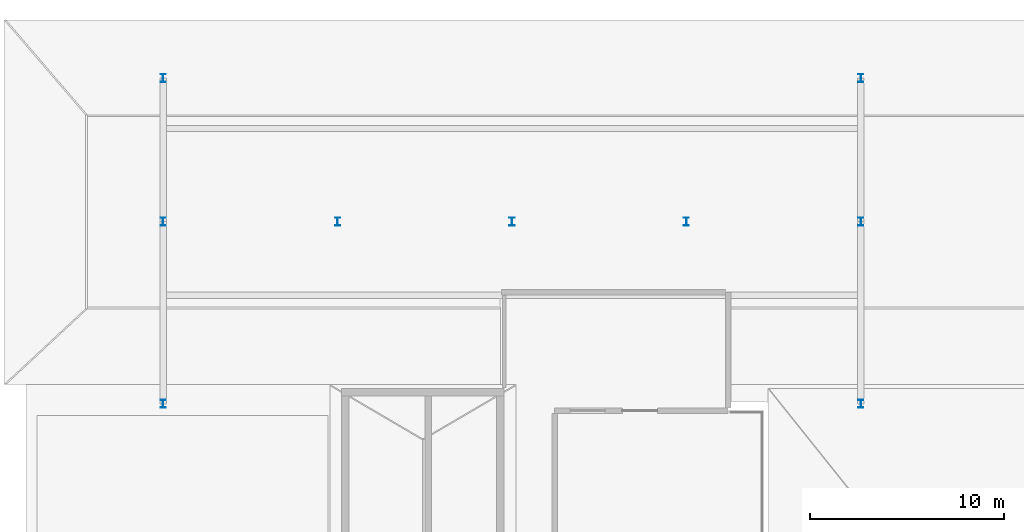
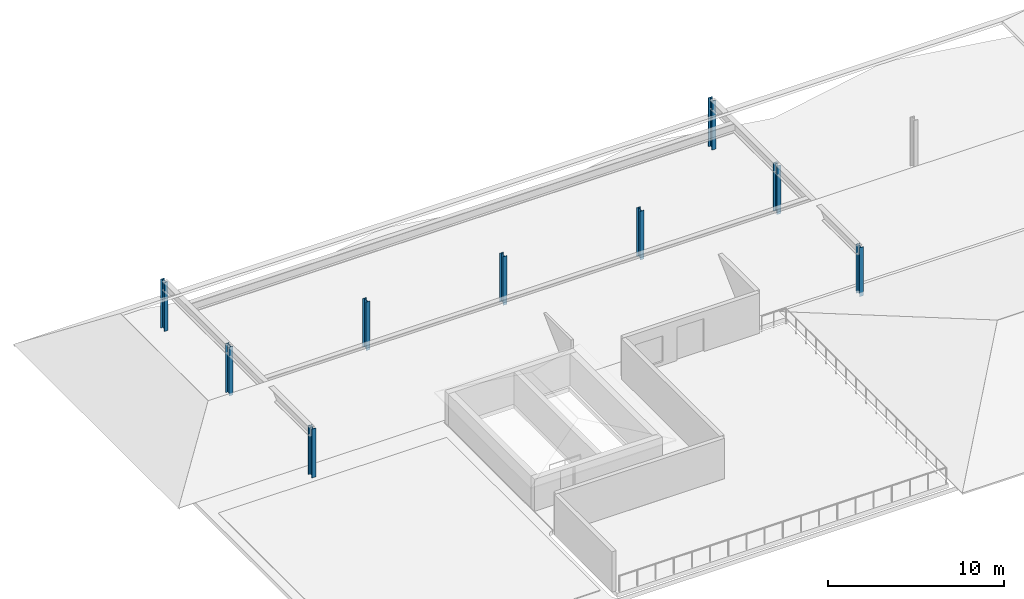
# One storey, part 3 of 34: 9 columns.
"""IFC4 building model written with IfcOpenShell, lengths in metres."""

from ifc_helpers import new_model, si_unit, direction, frame, origin, origin_2d, place, context, subcontext, project, spatial, i_section, extrude, material, material_profile, profile_set, type_object, element, save


model = new_model("IFC4")

# Units and contexts
model_context = context("Model", 3, precision=1e-05, world=origin(), true_north=direction((0.0, 1.0)))
body_context = subcontext(model_context, "Body", "Model", "MODEL_VIEW")
ifc_project = project(units=[si_unit("LENGTHUNIT", "METRE"), si_unit("AREAUNIT", "SQUARE_METRE"), si_unit("VOLUMEUNIT", "CUBIC_METRE"), si_unit("PLANEANGLEUNIT", "RADIAN"), si_unit("MASSUNIT", "GRAM", prefix="KILO")], contexts=[model_context])

# Site, building, storey
site_placement = place(None, origin())
site = spatial("IfcSite", under=ifc_project, at=site_placement, CompositionType="ELEMENT")
building_placement = place(site_placement, origin())
building = spatial("IfcBuilding", under=site, at=building_placement, Name="Sollismere Congress Hotel", CompositionType="ELEMENT")
storey_placement = place(building_placement, frame((0.0, 0.0, 23.39990234375)))
storey = spatial("IfcBuildingStorey", under=building, at=storey_placement, Name="L05", CompositionType="ELEMENT", Elevation=23.39990234375)

# Columns
ifc_material = material(Name="Steel ASTM A992 Grade 50", Category="steel")
ifc_material_profile = material_profile(ifc_material, i_section(OverallWidth=0.261962890625, OverallDepth=0.4189453125, WebThickness=0.01171875, FlangeThickness=0.019287109375, at=origin_2d()), Name="W16X77")
ifc_profile_set = profile_set([ifc_material_profile], Name="Steel ASTM A992 Grade 50")
column_type = type_object("IfcColumnType", Name="COL-W16", PredefinedType="COLUMN", material=ifc_profile_set)
for number, where, z_axis, x_axis, name in (
    (1, (76.0, 95.0, 0.0), (0.0, 0.0, 1.0), (1.0, 0.0, 0.0), "Column CL-L05-390"),
    (2, (85.0, 95.0, 0.0), (0.0, 0.0, 1.0), (1.0, 0.0, 0.0), "Column CL-L05-449"),
    (3, (94.0, 95.0, 0.0), (0.0, 0.0, 1.0), (1.0, 0.0, 0.0), "Column CL-L05-507"),
    (4, (103.0, 95.0, 0.0), (0.0, 0.0, 1.0), (1.0, 0.0, 0.0), "Column CL-L05-565"),
):
    element("IfcColumn", number, at=place(storey_placement, frame(where, z_axis=z_axis, x_axis=x_axis)), inside=storey, type_object=column_type, Name=name, PredefinedType="COLUMN", context=body_context, shape_type="SweptSolid", body=[
        extrude(i_section(OverallWidth=0.261962890625, OverallDepth=0.4189453125, WebThickness=0.01171875, FlangeThickness=0.019287109375, at=origin_2d()), origin(), (0.0, 0.0, 1.0), 3.380126953125),
    ])
for number, where, z_axis, x_axis, name in (
    (5, (67.0, 85.60009765625, 0.0), (0.0, 0.0, 1.0), (1.0, 0.0, 0.0), "COL-V2RP-67-A"),
    (6, (67.0, 95.0, 0.0), (0.0, 0.0, 1.0), (1.0, 0.0, 0.0), "COL-V2RP-67-B"),
    (7, (67.0, 102.39990234375, 0.0), (0.0, 0.0, 1.0), (1.0, 0.0, 0.0), "COL-V2RP-67-C"),
    (8, (103.0, 85.60009765625, 0.0), (0.0, 0.0, 1.0), (1.0, 0.0, 0.0), "COL-V2RP-103-A"),
    (9, (103.0, 102.39990234375, 0.0), (0.0, 0.0, 1.0), (1.0, 0.0, 0.0), "COL-V2RP-103-C"),
):
    element("IfcColumn", number, at=place(storey_placement, frame(where, z_axis=z_axis, x_axis=x_axis)), inside=storey, type_object=column_type, Name=name, PredefinedType="COLUMN", context=body_context, shape_type="SweptSolid", body=[
        extrude(i_section(OverallWidth=0.261962890625, OverallDepth=0.4189453125, WebThickness=0.01171875, FlangeThickness=0.019287109375, at=origin_2d()), origin(), (0.0, 0.0, 1.0), 3.400146484375),
    ])

save(model, "model.ifc")
